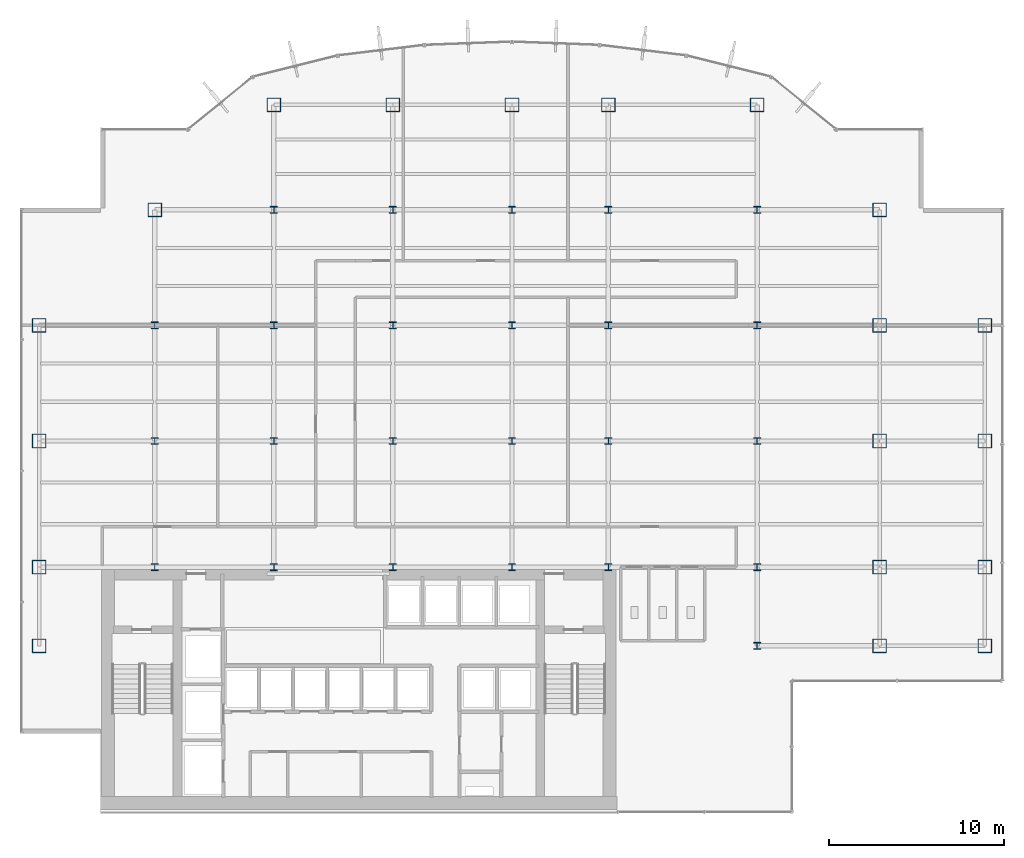
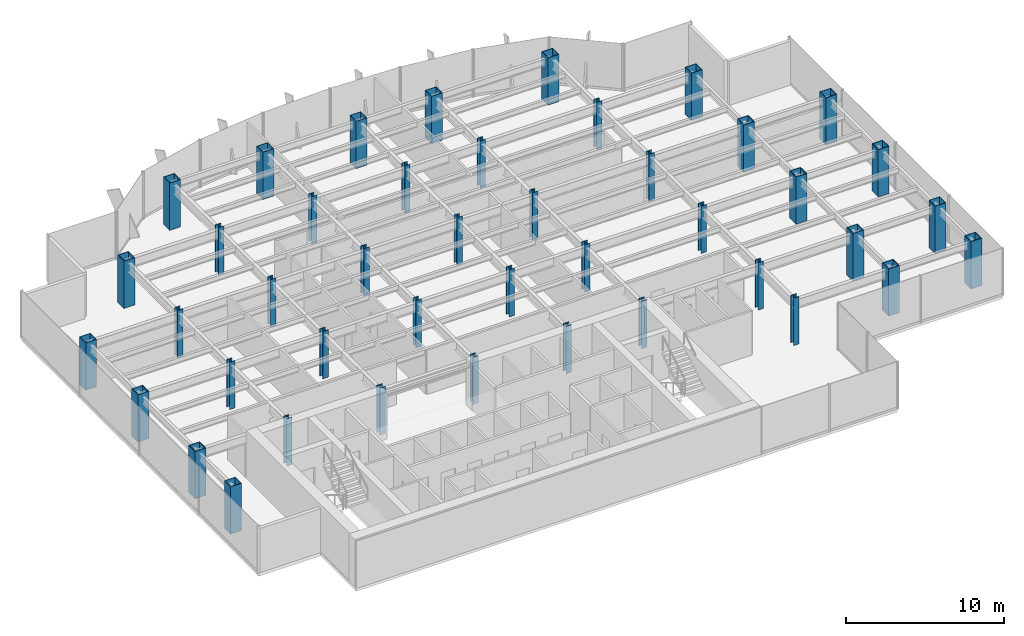
# One storey, part 1 of 26: 43 columns.
"""IFC4 building model written with IfcOpenShell, lengths in metres."""

from ifc_helpers import new_model, si_unit, derived_unit, direction, frame, origin, origin_2d, place, context, subcontext, project, spatial, hollow_rectangle, i_section, extrude, source, transform, mapped, material, material_profile, profile_set, type_object, element, save


model = new_model("IFC4")

# Units and contexts
model_context = context("Model", 3, precision=1e-05, world=origin(), true_north=direction((0.0, 1.0)))
body_context = subcontext(model_context, "Body", "Model", "MODEL_VIEW")
ifc_project = project(units=[si_unit("LENGTHUNIT", "METRE"), si_unit("AREAUNIT", "SQUARE_METRE"), si_unit("VOLUMEUNIT", "CUBIC_METRE"), si_unit("PLANEANGLEUNIT", "RADIAN"), si_unit("MASSUNIT", "GRAM", prefix="KILO"), derived_unit("THERMALTRANSMITTANCEUNIT", [(si_unit("POWERUNIT", "WATT"), 1), (si_unit("LENGTHUNIT", "METRE"), -2), (si_unit("THERMODYNAMICTEMPERATUREUNIT", "KELVIN"), -1)])], contexts=[model_context])

# Site, building, storey
site_placement = place(None, origin())
site = spatial("IfcSite", under=ifc_project, at=site_placement, CompositionType="ELEMENT")
building_placement = place(site_placement, origin())
building = spatial("IfcBuilding", under=site, at=building_placement, Name="Skarnbrae Concourse Arena and Tower", CompositionType="ELEMENT")
storey_placement = place(building_placement, frame((0.0, 0.0, 128.800048828125)))
storey = spatial("IfcBuildingStorey", under=building, at=storey_placement, Name="L32", CompositionType="ELEMENT", Elevation=128.800048828125)

# Columns
ifc_material = material(Name="Steel CSA G40.21 350W", Category="steel")
ifc_material_profile_1 = material_profile(ifc_material, hollow_rectangle(XDim=0.800048828125, YDim=0.800048828125, WallThickness=0.0400390625, at=origin_2d()), Name="BOX800X800X40")
ifc_profile_set_1 = profile_set([ifc_material_profile_1], Name="Steel CSA G40.21 350W")
column_type_1 = type_object("IfcColumnType", Name="COL-TUBE-BOX800", PredefinedType="COLUMN", material=ifc_profile_set_1)
shared_shape_1 = source(origin(), body_context, "Body", "SweptSolid", [
    extrude(hollow_rectangle(XDim=0.800048828125, YDim=0.800048828125, WallThickness=0.0400390625, at=origin_2d()), origin(), (0.0, 0.0, 1.0), 3.64990234375),
])
for number, where, z_axis, x_axis, name in (
    (1, (1.0, 9.5, 0.0), (0.0, 0.0, 1.0), (1.0, 0.0, 0.0), "L32 Tower column PC_01_01"),
    (2, (1.0, 14.0, 0.0), (0.0, 0.0, 1.0), (1.0, 0.0, 0.0), "L32 Tower column PC_01_02"),
    (3, (1.0, 21.199951171875, 0.0), (0.0, 0.0, 1.0), (1.0, 0.0, 0.0), "L32 Tower column PC_01_03"),
    (4, (1.0, 27.800048828125, 0.0), (0.0, 0.0, 1.0), (1.0, 0.0, 0.0), "L32 Tower column PC_01_04"),
    (5, (7.60009765625, 34.39990234375, 0.0), (0.0, 0.0, 1.0), (1.0, 0.0, 0.0), "L32 Tower column PC_02_05"),
    (6, (14.39990234375, 40.39990234375, 0.0), (0.0, 0.0, 1.0), (1.0, 0.0, 0.0), "L32 Tower column PC_03_06"),
    (7, (21.199951171875, 40.39990234375, 0.0), (0.0, 0.0, 1.0), (1.0, 0.0, 0.0), "L32 Tower column PC_04_06"),
    (8, (28.0, 40.39990234375, 0.0), (0.0, 0.0, 1.0), (1.0, 0.0, 0.0), "L32 Tower column PC_05_06"),
    (9, (33.5, 40.39990234375, 0.0), (0.0, 0.0, 1.0), (1.0, 0.0, 0.0), "L32 Tower column PC_06_06"),
    (10, (42.0, 40.39990234375, 0.0), (0.0, 0.0, 1.0), (1.0, 0.0, 0.0), "L32 Tower column PC_07_06"),
    (11, (49.0, 9.5, 0.0), (0.0, 0.0, 1.0), (1.0, 0.0, 0.0), "L32 Tower column PC_08_01"),
    (12, (49.0, 14.0, 0.0), (0.0, 0.0, 1.0), (1.0, 0.0, 0.0), "L32 Tower column PC_08_02"),
    (13, (49.0, 21.199951171875, 0.0), (0.0, 0.0, 1.0), (1.0, 0.0, 0.0), "L32 Tower column PC_08_03"),
    (14, (49.0, 27.800048828125, 0.0), (0.0, 0.0, 1.0), (1.0, 0.0, 0.0), "L32 Tower column PC_08_04"),
    (15, (49.0, 34.39990234375, 0.0), (0.0, 0.0, 1.0), (1.0, 0.0, 0.0), "L32 Tower column PC_08_05"),
    (16, (55.0, 9.5, 0.0), (0.0, 0.0, 1.0), (1.0, 0.0, 0.0), "L32 Tower column PC_09_01"),
    (17, (55.0, 14.0, 0.0), (0.0, 0.0, 1.0), (1.0, 0.0, 0.0), "L32 Tower column PC_09_02"),
    (18, (55.0, 21.199951171875, 0.0), (0.0, 0.0, 1.0), (1.0, 0.0, 0.0), "L32 Tower column PC_09_03"),
    (19, (55.0, 27.800048828125, 0.0), (0.0, 0.0, 1.0), (1.0, 0.0, 0.0), "L32 Tower column PC_09_04"),
):
    element("IfcColumn", number, at=place(storey_placement, frame(where, z_axis=z_axis, x_axis=x_axis)), inside=storey, type_object=column_type_1, Name=name, PredefinedType="COLUMN", context=body_context, shape_type="MappedRepresentation", body=[
        mapped(shared_shape_1, transform((0.0, 0.0, 0.0))),
    ])
ifc_material_profile_2 = material_profile(ifc_material, i_section(OverallWidth=0.39892578125, OverallDepth=0.39306640625, WebThickness=0.022705078125, FlangeThickness=0.03662109375, at=origin_2d()), Name="W360X287")
ifc_profile_set_2 = profile_set([ifc_material_profile_2], Name="Steel CSA G40.21 350W")
column_type_2 = type_object("IfcColumnType", Name="COL-INT-W360X287", PredefinedType="COLUMN", material=ifc_profile_set_2)
shared_shape_2 = source(origin(), body_context, "Body", "SweptSolid", [
    extrude(i_section(OverallWidth=0.39892578125, OverallDepth=0.39306640625, WebThickness=0.022705078125, FlangeThickness=0.03662109375, at=origin_2d()), origin(), (0.0, 0.0, 1.0), 3.64990234375),
])
for number, where, z_axis, x_axis, name in (
    (20, (7.60009765625, 14.0, 0.0), (0.0, 0.0, 1.0), (1.0, 0.0, 0.0), "L32 Tower column IC_02_02"),
    (21, (7.60009765625, 21.199951171875, 0.0), (0.0, 0.0, 1.0), (1.0, 0.0, 0.0), "L32 Tower column IC_02_03"),
    (22, (7.60009765625, 27.800048828125, 0.0), (0.0, 0.0, 1.0), (1.0, 0.0, 0.0), "L32 Tower column IC_02_04"),
    (23, (14.39990234375, 14.0, 0.0), (0.0, 0.0, 1.0), (1.0, 0.0, 0.0), "L32 Tower column IC_03_02"),
    (24, (14.39990234375, 21.199951171875, 0.0), (0.0, 0.0, 1.0), (1.0, 0.0, 0.0), "L32 Tower column IC_03_03"),
    (25, (14.39990234375, 27.800048828125, 0.0), (0.0, 0.0, 1.0), (1.0, 0.0, 0.0), "L32 Tower column IC_03_04"),
    (26, (14.39990234375, 34.39990234375, 0.0), (0.0, 0.0, 1.0), (1.0, 0.0, 0.0), "L32 Tower column IC_03_05"),
    (27, (21.199951171875, 14.0, 0.0), (0.0, 0.0, 1.0), (1.0, 0.0, 0.0), "L32 Tower column IC_04_02"),
    (28, (21.199951171875, 21.199951171875, 0.0), (0.0, 0.0, 1.0), (1.0, 0.0, 0.0), "L32 Tower column IC_04_03"),
    (29, (21.199951171875, 27.800048828125, 0.0), (0.0, 0.0, 1.0), (1.0, 0.0, 0.0), "L32 Tower column IC_04_04"),
    (30, (21.199951171875, 34.39990234375, 0.0), (0.0, 0.0, 1.0), (1.0, 0.0, 0.0), "L32 Tower column IC_04_05"),
    (31, (28.0, 14.0, 0.0), (0.0, 0.0, 1.0), (1.0, 0.0, 0.0), "L32 Tower column IC_05_02"),
    (32, (28.0, 21.199951171875, 0.0), (0.0, 0.0, 1.0), (1.0, 0.0, 0.0), "L32 Tower column IC_05_03"),
    (33, (28.0, 27.800048828125, 0.0), (0.0, 0.0, 1.0), (1.0, 0.0, 0.0), "L32 Tower column IC_05_04"),
    (34, (28.0, 34.39990234375, 0.0), (0.0, 0.0, 1.0), (1.0, 0.0, 0.0), "L32 Tower column IC_05_05"),
    (35, (33.5, 14.0, 0.0), (0.0, 0.0, 1.0), (1.0, 0.0, 0.0), "L32 Tower column IC_06_02"),
    (36, (33.5, 21.199951171875, 0.0), (0.0, 0.0, 1.0), (1.0, 0.0, 0.0), "L32 Tower column IC_06_03"),
    (37, (33.5, 27.800048828125, 0.0), (0.0, 0.0, 1.0), (1.0, 0.0, 0.0), "L32 Tower column IC_06_04"),
    (38, (33.5, 34.39990234375, 0.0), (0.0, 0.0, 1.0), (1.0, 0.0, 0.0), "L32 Tower column IC_06_05"),
    (39, (42.0, 9.5, 0.0), (0.0, 0.0, 1.0), (1.0, 0.0, 0.0), "L32 Tower column IC_07_01"),
    (40, (42.0, 14.0, 0.0), (0.0, 0.0, 1.0), (1.0, 0.0, 0.0), "L32 Tower column IC_07_02"),
    (41, (42.0, 21.199951171875, 0.0), (0.0, 0.0, 1.0), (1.0, 0.0, 0.0), "L32 Tower column IC_07_03"),
    (42, (42.0, 27.800048828125, 0.0), (0.0, 0.0, 1.0), (1.0, 0.0, 0.0), "L32 Tower column IC_07_04"),
    (43, (42.0, 34.39990234375, 0.0), (0.0, 0.0, 1.0), (1.0, 0.0, 0.0), "L32 Tower column IC_07_05"),
):
    element("IfcColumn", number, at=place(storey_placement, frame(where, z_axis=z_axis, x_axis=x_axis)), inside=storey, type_object=column_type_2, Name=name, PredefinedType="COLUMN", context=body_context, shape_type="MappedRepresentation", body=[
        mapped(shared_shape_2, transform((0.0, 0.0, 0.0))),
    ])

save(model, "model.ifc")
